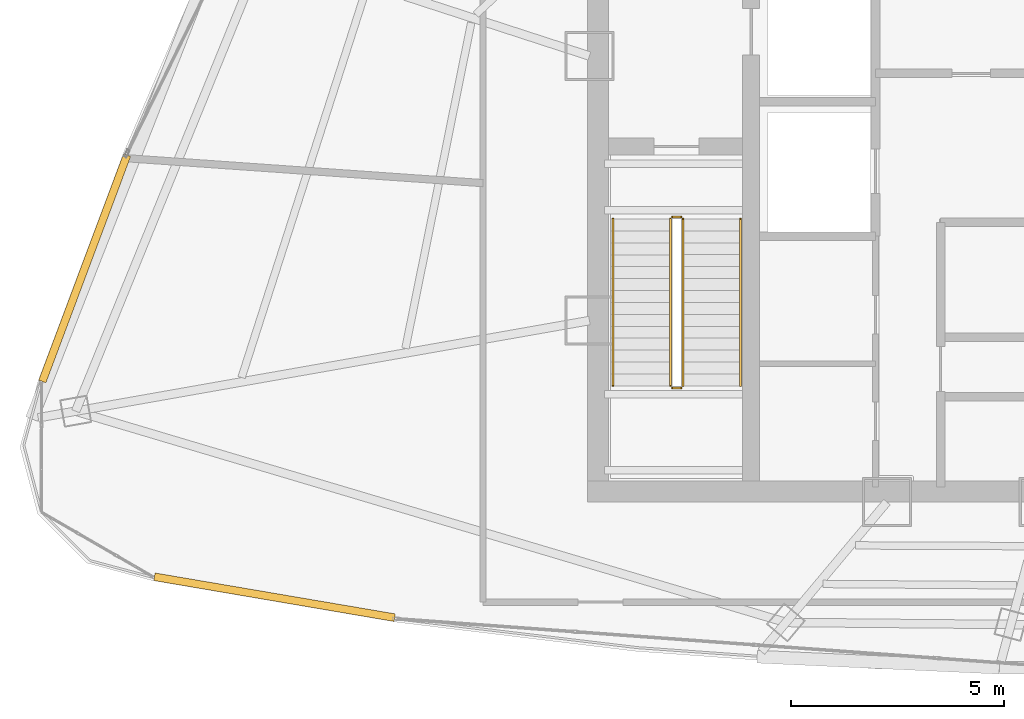
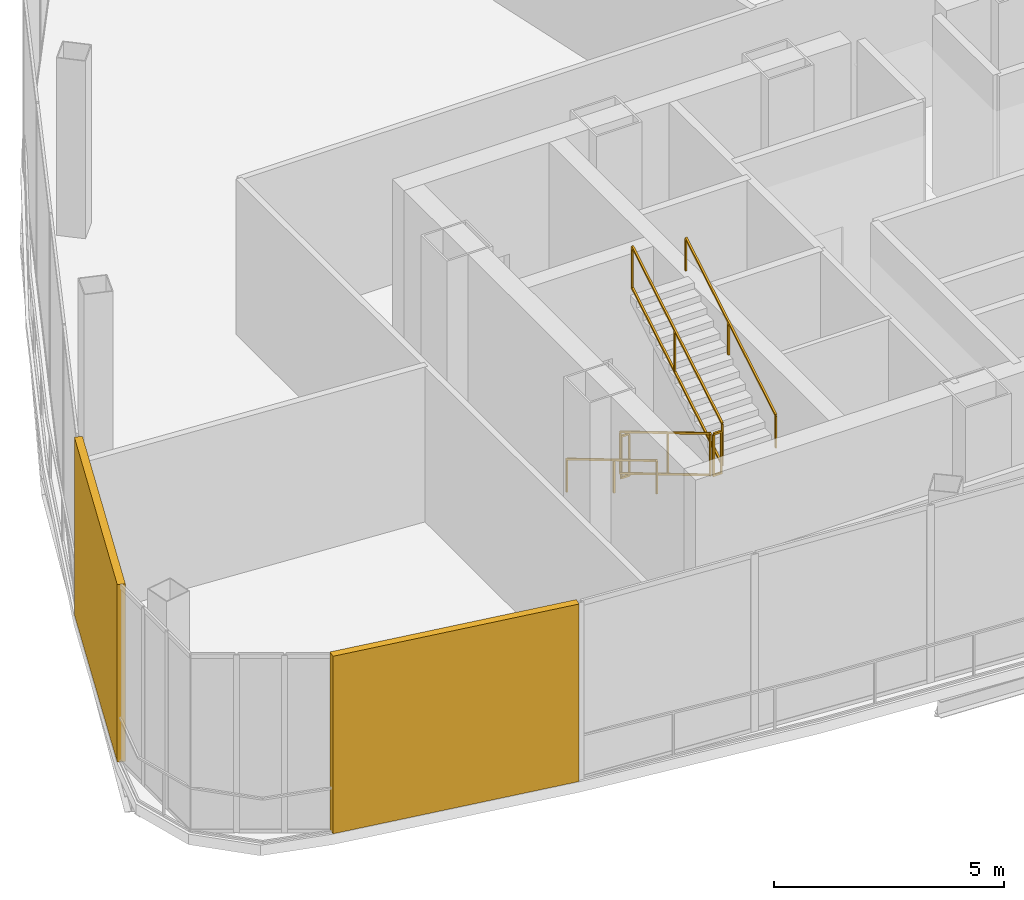
# One storey, part 31 of 33: 6 railings, 2 shading devices.
"""IFC4 building model written with IfcOpenShell, lengths in metres."""

from ifc_helpers import new_model, si_unit, direction, frame, origin, origin_2d, place, context, subcontext, project, spatial, rectangle, extrude, source, transform, mapped, material, layer, layer_set, type_object, element, save


model = new_model("IFC4")

# Units and contexts
model_context = context("Model", 3, precision=1e-05, world=origin(), true_north=direction((0.0, 1.0)))
body_context = subcontext(model_context, "Body", "Model", "MODEL_VIEW")
ifc_project = project(units=[si_unit("LENGTHUNIT", "METRE"), si_unit("AREAUNIT", "SQUARE_METRE"), si_unit("VOLUMEUNIT", "CUBIC_METRE"), si_unit("PLANEANGLEUNIT", "RADIAN"), si_unit("MASSUNIT", "GRAM", prefix="KILO"), si_unit("THERMODYNAMICTEMPERATUREUNIT", "KELVIN"), si_unit("POWERUNIT", "WATT")], contexts=[model_context])

# Site, building, storey
site_placement = place(None, origin())
site = spatial("IfcSite", under=ifc_project, at=site_placement, CompositionType="ELEMENT")
building_placement = place(site_placement, origin())
building = spatial("IfcBuilding", under=site, at=building_placement, Name="Yunzhuo Pagoda Commons", CompositionType="ELEMENT")
storey_placement = place(building_placement, frame((0.0, 0.0, 386.760009765625)))
storey = spatial("IfcBuildingStorey", under=building, at=storey_placement, Name="L96", CompositionType="ELEMENT", Elevation=386.760009765625)

# Railings
ifc_material = material(Name="Anodized aluminium 6063-T6", Category="aluminium")
railing_type_1 = type_object("IfcRailingType", Name="GR-ST1 Stair Well Guardrail 1150", PredefinedType="GUARDRAIL", material=ifc_material)
railing_1_placement = place(storey_placement, frame((37.5, 33.89990234375, 0.166748046875)))
element("IfcRailing", 1, at=railing_1_placement, inside=storey, type_object=railing_type_1, Name="L96 ST1 stair guard 1", PredefinedType="GUARDRAIL", context=body_context, shape_type="SweptSolid", body=[
    extrude(rectangle(XDim=0.048095703125, YDim=0.048095703125, at=origin_2d()), frame((0.0, 0.0, 1.1259765625), z_axis=(0.0, -0.859296244711, 0.511478214419), x_axis=(1.0, 0.0, 0.0)), (0.0, 0.0, 1.0), 4.561767578125),
    extrude(rectangle(XDim=0.048095703125, YDim=0.048095703125, at=origin_2d()), frame((0.0, 0.0, 0.02392578125), z_axis=(0.0, -0.859296244711, 0.511478214419), x_axis=(1.0, 0.0, 0.0)), (0.0, 0.0, 1.0), 4.561767578125),
    extrude(rectangle(XDim=0.0419921875, YDim=0.0419921875, at=origin_2d()), origin(), (0.0, 0.0, 1.0), 1.101806640625),
    extrude(rectangle(XDim=0.0419921875, YDim=0.0419921875, at=origin_2d()), frame((0.0, -2.062255859375, 1.2275390625)), (0.0, 0.0, 1.0), 1.101806640625),
    extrude(rectangle(XDim=0.0419921875, YDim=0.0419921875, at=origin_2d()), frame((0.0, -3.919921875, 2.333251953125)), (0.0, 0.0, 1.0), 1.101806640625),
])
railing_2_placement = place(storey_placement, frame((37.550048828125, 29.929931640625, 2.5)))
element("IfcRailing", 2, at=railing_2_placement, inside=storey, type_object=railing_type_1, Name="L96 ST1 stair guard 2", PredefinedType="GUARDRAIL", context=body_context, shape_type="SweptSolid", body=[
    extrude(rectangle(XDim=0.048095703125, YDim=0.048095703125, at=origin_2d()), frame((0.0, 0.0, 1.1259765625), z_axis=(1.0, 0.0, 0.0), x_axis=(0.0, 1.0, 0.0)), (0.0, 0.0, 1.0), 0.199951171875),
    extrude(rectangle(XDim=0.048095703125, YDim=0.048095703125, at=origin_2d()), frame((0.0, 0.0, 0.02392578125), z_axis=(1.0, 0.0, 0.0), x_axis=(0.0, 1.0, 0.0)), (0.0, 0.0, 1.0), 0.199951171875),
    extrude(rectangle(XDim=0.0419921875, YDim=0.0419921875, at=origin_2d()), origin(), (0.0, 0.0, 1.0), 1.101806640625),
    extrude(rectangle(XDim=0.0419921875, YDim=0.0419921875, at=origin_2d()), frame((0.199951171875, 0.0, 0.0)), (0.0, 0.0, 1.0), 1.101806640625),
])
railing_3_placement = place(storey_placement, frame((37.800048828125, 29.97998046875, 2.666748046875)))
element("IfcRailing", 3, at=railing_3_placement, inside=storey, type_object=railing_type_1, Name="L96 ST1 stair guard 3", PredefinedType="GUARDRAIL", context=body_context, shape_type="SweptSolid", body=[
    extrude(rectangle(XDim=0.048095703125, YDim=0.048095703125, at=origin_2d()), frame((0.0, 0.0, 1.1259765625), z_axis=(0.0, 0.859296244711, 0.511478214419), x_axis=(-1.0, 0.0, 0.0)), (0.0, 0.0, 1.0), 4.561767578125),
    extrude(rectangle(XDim=0.048095703125, YDim=0.048095703125, at=origin_2d()), frame((0.0, 0.0, 0.02392578125), z_axis=(0.0, 0.859296244711, 0.511478214419), x_axis=(-1.0, 0.0, 0.0)), (0.0, 0.0, 1.0), 4.561767578125),
    extrude(rectangle(XDim=0.0419921875, YDim=0.0419921875, at=origin_2d()), origin(), (0.0, 0.0, 1.0), 1.101806640625),
    extrude(rectangle(XDim=0.0419921875, YDim=0.0419921875, at=origin_2d()), frame((0.0, 2.062255859375, 1.2275390625)), (0.0, 0.0, 1.0), 1.101806640625),
    extrude(rectangle(XDim=0.0419921875, YDim=0.0419921875, at=origin_2d()), frame((0.0, 3.919921875, 2.333251953125)), (0.0, 0.0, 1.0), 1.101806640625),
])
railing_4_placement = place(storey_placement, frame((37.550048828125, 33.949951171875, 0.0)))
element("IfcRailing", 4, at=railing_4_placement, inside=storey, type_object=railing_type_1, Name="L96 ST1 stair guard 4", PredefinedType="GUARDRAIL", context=body_context, shape_type="SweptSolid", body=[
    extrude(rectangle(XDim=0.048095703125, YDim=0.048095703125, at=origin_2d()), frame((0.0, 0.0, 1.1259765625), z_axis=(1.0, 0.0, 0.0), x_axis=(0.0, 1.0, 0.0)), (0.0, 0.0, 1.0), 0.199951171875),
    extrude(rectangle(XDim=0.048095703125, YDim=0.048095703125, at=origin_2d()), frame((0.0, 0.0, 0.02392578125), z_axis=(1.0, 0.0, 0.0), x_axis=(0.0, 1.0, 0.0)), (0.0, 0.0, 1.0), 0.199951171875),
    extrude(rectangle(XDim=0.0419921875, YDim=0.0419921875, at=origin_2d()), origin(), (0.0, 0.0, 1.0), 1.101806640625),
    extrude(rectangle(XDim=0.0419921875, YDim=0.0419921875, at=origin_2d()), frame((0.199951171875, 0.0, 0.0)), (0.0, 0.0, 1.0), 1.101806640625),
])
railing_type_2 = type_object("IfcRailingType", Name="HR-ST1 Stair Handrail 900", PredefinedType="HANDRAIL", material=ifc_material)
railing_5_placement = place(storey_placement, frame((36.14990234375, 33.89990234375, 0.166748046875)))
element("IfcRailing", 5, at=railing_5_placement, inside=storey, type_object=railing_type_2, Name="L96 ST1 stair handrail 1", PredefinedType="HANDRAIL", context=body_context, shape_type="SweptSolid", body=[
    extrude(rectangle(XDim=0.048095703125, YDim=0.048095703125, at=origin_2d()), frame((0.0, 0.0, 0.8759765625), z_axis=(0.0, -0.859296244711, 0.511478214419), x_axis=(1.0, 0.0, 0.0)), (0.0, 0.0, 1.0), 4.561767578125),
    extrude(rectangle(XDim=0.0419921875, YDim=0.0419921875, at=origin_2d()), origin(), (0.0, 0.0, 1.0), 0.851806640625),
    extrude(rectangle(XDim=0.0419921875, YDim=0.0419921875, at=origin_2d()), frame((0.0, -2.062255859375, 1.2275390625)), (0.0, 0.0, 1.0), 0.851806640625),
    extrude(rectangle(XDim=0.0419921875, YDim=0.0419921875, at=origin_2d()), frame((0.0, -3.919921875, 2.333251953125)), (0.0, 0.0, 1.0), 0.851806640625),
])
railing_6_placement = place(storey_placement, frame((39.14990234375, 29.97998046875, 2.666748046875)))
element("IfcRailing", 6, at=railing_6_placement, inside=storey, type_object=railing_type_2, Name="L96 ST1 stair handrail 2", PredefinedType="HANDRAIL", context=body_context, shape_type="SweptSolid", body=[
    extrude(rectangle(XDim=0.048095703125, YDim=0.048095703125, at=origin_2d()), frame((0.0, 0.0, 0.8759765625), z_axis=(0.0, 0.859296244711, 0.511478214419), x_axis=(-1.0, 0.0, 0.0)), (0.0, 0.0, 1.0), 4.561767578125),
    extrude(rectangle(XDim=0.0419921875, YDim=0.0419921875, at=origin_2d()), origin(), (0.0, 0.0, 1.0), 0.851806640625),
    extrude(rectangle(XDim=0.0419921875, YDim=0.0419921875, at=origin_2d()), frame((0.0, 2.062255859375, 1.2275390625)), (0.0, 0.0, 1.0), 0.851806640625),
    extrude(rectangle(XDim=0.0419921875, YDim=0.0419921875, at=origin_2d()), frame((0.0, 3.919921875, 2.333251953125)), (0.0, 0.0, 1.0), 0.851806640625),
])

# Shading devices
ifc_layer = layer(ifc_material, 0.179931640625)
ifc_layer_set = layer_set([ifc_layer], Name="Anodized aluminium 6063-T6")
shading_device_type = type_object("IfcShadingDeviceType", Name="SH-SCR2 Crown Drum Acoustic Louvre Screen", PredefinedType="JALOUSIE", material=ifc_layer_set)
shared_shape_1 = source(origin(), body_context, "Body", "SweptSolid", [
    extrude(rectangle(XDim=5.722900390625, YDim=0.179931640625, at=origin_2d()), origin(), (0.0, 0.0, 1.0), 4.719970703125),
])
shading_device_1_placement = place(storey_placement, frame((28.201416015625, 25.014404296875, 0.0), z_axis=(0.0, 0.0, 1.0), x_axis=(0.985803279142, -0.16790442172, 0.0)))
element("IfcShadingDevice", 7, at=shading_device_1_placement, inside=storey, type_object=shading_device_type, Name="L96 crown plant drum screen F1.0", PredefinedType="JALOUSIE", context=body_context, shape_type="MappedRepresentation", body=[
    mapped(shared_shape_1, transform((0.0, 0.0, 0.0), scale=1.0)),
])
shared_shape_2 = source(origin(), body_context, "Body", "SweptSolid", [
    extrude(rectangle(XDim=5.67724609375, YDim=0.179931640625, at=origin_2d()), origin(), (0.0, 0.0, 1.0), 4.719970703125),
])
shading_device_2_placement = place(storey_placement, frame((23.741455078125, 32.74169921875, 0.0), z_axis=(0.0, 0.0, 1.0), x_axis=(-0.350697773643, -0.936488692704, 0.0)))
element("IfcShadingDevice", 8, at=shading_device_2_placement, inside=storey, type_object=shading_device_type, Name="L96 crown plant drum screen F3.7", PredefinedType="JALOUSIE", context=body_context, shape_type="MappedRepresentation", body=[
    mapped(shared_shape_2, transform((0.0, 0.0, 0.0), scale=1.0)),
])

save(model, "model.ifc")
